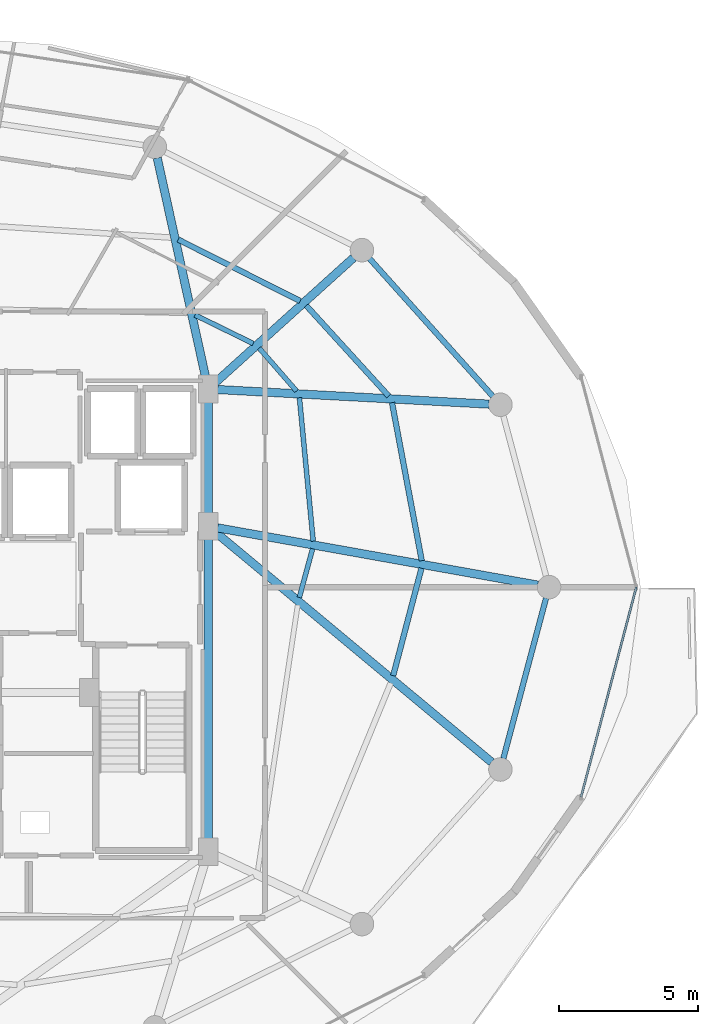
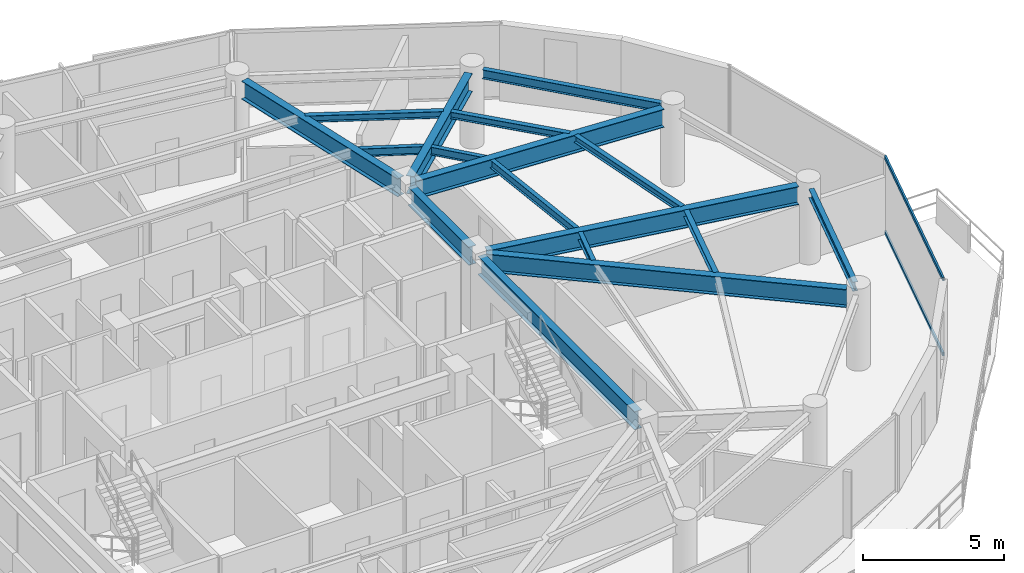
# One storey, part 14 of 29: 17 beams, 2 members, 1 element without a shape of its own.
"""IFC4 building model written with IfcOpenShell, lengths in metres."""

import ifcopenshell
import ifcopenshell.guid

model = None  # the IFC model being written
_history = None  # IfcOwnerHistory: only IFC2X3 demands one
_inside = {}  # id of a spatial element -> (the spatial element, [elements in it])
_under = {}  # id of a project, library or spatial element -> (it, [spatial elements below it])
_declared = {}  # id of a project -> (the project, [libraries it declares])
_typed = {}  # id of a type object -> (the type object, [elements of that type])
_made_of = {}  # id of a material, layer set ... -> (it, [elements and type objects made of it])


def new_model(schema):
    """Start an empty IFC model of exactly this schema.

    Asked for "IFC4X3", IfcOpenShell would pick the latest addendum, in which some entities
    have other attributes; the version numbers below select the first issue.
    IFC2X3 requires an IfcOwnerHistory on every rooted entity: one is made here for all.
    """
    global model, _history
    if schema == "IFC4X3":
        model = ifcopenshell.file(schema_version=(4, 3, 0, 0))
    else:
        model = ifcopenshell.file(schema=schema)
    _inside.clear()
    _under.clear()
    _declared.clear()
    _typed.clear()
    _made_of.clear()
    _history = None
    if model.schema == "IFC2X3":
        org = make("IfcOrganization", Name="unknown")
        user = make(
            "IfcPersonAndOrganization",
            ThePerson=make("IfcPerson", FamilyName="unknown"),
            TheOrganization=org,
        )
        app = make(
            "IfcApplication",
            ApplicationDeveloper=org,
            Version="unknown",
            ApplicationFullName="unknown",
            ApplicationIdentifier="unknown",
        )
        _history = make(
            "IfcOwnerHistory",
            OwningUser=user,
            OwningApplication=app,
            ChangeAction="ADDED",
            CreationDate=0,
        )
    return model


def make(cls, **values):
    """One entity of the class cls with the attributes given. An attribute that is None is left unset."""
    return model.create_entity(
        cls, **{name: value for name, value in values.items() if value is not None}
    )


def rooted(cls, **values):
    """An entity with a GlobalId (a new one), such as an element, a storey or a relation."""
    return make(cls, GlobalId=ifcopenshell.guid.new(), OwnerHistory=_history, **values)


def si_unit(unit_type, name, prefix=None):
    """IfcSIUnit, for example si_unit("LENGTHUNIT", "METRE", prefix="MILLI")."""
    return make("IfcSIUnit", UnitType=unit_type, Prefix=prefix, Name=name)


def assignment(units):
    """IfcUnitAssignment: the units of a project."""
    return None if units is None else make("IfcUnitAssignment", Units=units)


def point(xyz):
    """IfcCartesianPoint."""
    return None if xyz is None else make("IfcCartesianPoint", Coordinates=xyz)


def direction(xyz):
    """IfcDirection."""
    return None if xyz is None else make("IfcDirection", DirectionRatios=xyz)


def frame(location, z_axis=None, x_axis=None):
    """IfcAxis2Placement3D, a coordinate frame: its origin and axes. An axis left out is left unset."""
    return make(
        "IfcAxis2Placement3D",
        Location=point(location),
        Axis=direction(z_axis),
        RefDirection=direction(x_axis),
    )


def frame_2d(location, x_axis=None):
    """IfcAxis2Placement2D, a coordinate frame in the plane: its origin and x axis."""
    return make(
        "IfcAxis2Placement2D", Location=point(location), RefDirection=direction(x_axis)
    )


def origin():
    """The frame at (0, 0, 0) with its axes left unset."""
    return frame((0.0, 0.0, 0.0))


def origin_2d():
    """The frame at (0, 0) in the plane with its x axis left unset."""
    return frame_2d((0.0, 0.0))


def place(relative_to, where):
    """IfcLocalPlacement: puts the frame where relative to a parent placement (None: the world)."""
    return make(
        "IfcLocalPlacement", PlacementRelTo=relative_to, RelativePlacement=where
    )


def context(
    kind, dimensions, precision=None, world=None, true_north=None, identifier=None
):
    """IfcGeometricRepresentationContext, for example the 3D "Model" context."""
    return make(
        "IfcGeometricRepresentationContext",
        ContextIdentifier=identifier,
        ContextType=kind,
        CoordinateSpaceDimension=dimensions,
        Precision=precision,
        WorldCoordinateSystem=world,
        TrueNorth=true_north,
    )


def subcontext(parent, identifier, kind, view, scale=None):
    """IfcGeometricRepresentationSubContext, for example "Body" below "Model"."""
    return make(
        "IfcGeometricRepresentationSubContext",
        ContextIdentifier=identifier,
        ContextType=kind,
        ParentContext=parent,
        TargetScale=scale,
        TargetView=view,
    )


def project(units=None, contexts=None):
    """IfcProject with its units and contexts."""
    return rooted(
        "IfcProject",
        Name="project",
        RepresentationContexts=contexts,
        UnitsInContext=assignment(units),
    )


def spatial(cls, under=None, at=None, **own):
    """A site, building, storey or space (cls), placed at a placement, below another one or the project."""
    s = rooted(cls, ObjectPlacement=at, **own)
    if under is not None:
        _under.setdefault(under.id(), (under, []))[1].append(s)
    return s


def profile(cls, at=None, kind="AREA", **sizes):
    """A parametric profile (cls). Its sizes go by their IFC names, for example OverallWidth=200.0."""
    return make(cls, ProfileType=kind, Position=at, **sizes)


def hollow_rectangle(**sizes):
    """IfcRectangleHollowProfileDef."""
    return profile("IfcRectangleHollowProfileDef", **sizes)


def i_section(**sizes):
    """IfcIShapeProfileDef."""
    return profile("IfcIShapeProfileDef", **sizes)


def extrude(swept, where, along, depth):
    """IfcExtrudedAreaSolid: the profile swept, set in the frame where, extruded along a direction by depth."""
    return make(
        "IfcExtrudedAreaSolid",
        SweptArea=swept,
        Position=where,
        ExtrudedDirection=direction(along),
        Depth=depth,
    )


def shape(context_of_items, identifier, shape_type, items):
    """IfcShapeRepresentation: the items that make up one representation, for example the "Body"."""
    return make(
        "IfcShapeRepresentation",
        ContextOfItems=context_of_items,
        RepresentationIdentifier=identifier,
        RepresentationType=shape_type,
        Items=items,
    )


def material(Name=None, Category=None):
    """IfcMaterial."""
    return make("IfcMaterial", Name=Name, Category=Category)


def material_profile(
    of_material, cross_section, Name=None, Category=None, Priority=None
):
    """IfcMaterialProfile: a cross section and its material."""
    return make(
        "IfcMaterialProfile",
        Name=Name,
        Material=of_material,
        Profile=cross_section,
        Priority=Priority,
        Category=Category,
    )


def profile_set(profiles, Name=None, composite=None):
    """IfcMaterialProfileSet."""
    return make(
        "IfcMaterialProfileSet",
        Name=Name,
        MaterialProfiles=profiles,
        CompositeProfile=composite,
    )


def made_of(thing, what):
    """Note that an element or type object is made of a material, layer set ...; save() writes the relation."""
    if what is not None:
        _made_of.setdefault(what.id(), (what, []))[1].append(thing)
    return thing


def type_object(cls, material=None, **own):
    """A type object (cls), such as IfcWallType, which elements share."""
    return made_of(rooted(cls, **own), material)


def element(
    cls,
    number,
    at=None,
    inside=None,
    cuts=None,
    type_object=None,
    material=None,
    context=None,
    identifier="Body",
    shape_type=None,
    held_by="IfcProductDefinitionShape",
    body=None,
    shapes=None,
    **own,
):
    """One element of the class cls, such as IfcWall. Its Tag is "e" and its number.

    at: its placement. inside: the storey or other place that contains it. cuts: it is an
    opening in that element (IfcRelVoidsElement). A single representation is given by context,
    identifier, shape_type and body (its items); several are given by shapes. held_by: the class
    of the entity that holds the representations. save() writes the other relations.
    """
    e = rooted(cls, Tag="e%d" % number, ObjectPlacement=at, **own)
    if body is not None:
        shapes = [shape(context, identifier, shape_type, body)]
    if shapes is not None:
        e.Representation = make(held_by, Representations=shapes)
    if inside is not None:
        _inside.setdefault(inside.id(), (inside, []))[1].append(e)
    if cuts is not None:
        rooted(
            "IfcRelVoidsElement", RelatingBuildingElement=cuts, RelatedOpeningElement=e
        )
    if type_object is not None:
        _typed.setdefault(type_object.id(), (type_object, []))[1].append(e)
    return made_of(e, material)


def aggregate(whole, parts):
    """IfcRelAggregates: a whole, such as a stair, and the parts it consists of."""
    return rooted("IfcRelAggregates", RelatingObject=whole, RelatedObjects=parts)


def save(model, path):
    """Write the relations noted so far, then the file.

    IfcRelAggregates (storeys below a building ...), IfcRelContainedInSpatialStructure (elements
    in a storey), IfcRelDefinesByType, IfcRelAssociatesMaterial and IfcRelDeclares: one each for
    every whole, place, type object, material and project.
    """
    for whole, parts in _under.values():
        aggregate(whole, parts)
    for where, things in _inside.values():
        rooted(
            "IfcRelContainedInSpatialStructure",
            RelatedElements=things,
            RelatingStructure=where,
        )
    for kind, things in _typed.values():
        rooted("IfcRelDefinesByType", RelatedObjects=things, RelatingType=kind)
    for what, things in _made_of.values():
        rooted("IfcRelAssociatesMaterial", RelatedObjects=things, RelatingMaterial=what)
    for by, libraries in _declared.values():
        rooted("IfcRelDeclares", RelatingContext=by, RelatedDefinitions=libraries)
    model.write(path)


model = new_model("IFC4")

# Units and contexts
model_context = context("Model", 3, precision=1e-05, world=origin(), true_north=direction((0.0, 1.0)))
body_context = subcontext(model_context, "Body", "Model", "MODEL_VIEW")
ifc_project = project(units=[si_unit("LENGTHUNIT", "METRE"), si_unit("AREAUNIT", "SQUARE_METRE"), si_unit("VOLUMEUNIT", "CUBIC_METRE"), si_unit("PLANEANGLEUNIT", "RADIAN"), si_unit("MASSUNIT", "GRAM", prefix="KILO")], contexts=[model_context])

# Site, building, storey
site_placement = place(None, origin())
site = spatial("IfcSite", under=ifc_project, at=site_placement, CompositionType="ELEMENT")
building_placement = place(site_placement, origin())
building = spatial("IfcBuilding", under=site, at=building_placement, Name="Vorneva Point Tower", CompositionType="ELEMENT")
storey_placement = place(building_placement, frame((0.0, 0.0, 273.300048828125)))
storey = spatial("IfcBuildingStorey", under=building, at=storey_placement, Name="L74", CompositionType="ELEMENT", Elevation=273.300048828125)

# Beams
ifc_material_1 = material(Name="Steel S355", Category="steel")
ifc_material_profile_1 = material_profile(ifc_material_1, i_section(OverallWidth=0.300048828125, OverallDepth=0.7880859375, WebThickness=0.014404296875, FlangeThickness=0.02197265625, at=origin_2d()), Name="80Sh1")
ifc_profile_set_1 = profile_set([ifc_material_profile_1], Name="Steel S355")
beam_type_1 = type_object("IfcBeamType", Name="BM-GRD-80Sh1", PredefinedType="USERDEFINED", material=ifc_profile_set_1)
beam_1_placement = place(storey_placement, frame((60.6435546875, 26.07275390625, 2.89599609375), z_axis=(-0.9843788355, 0.17606336422, 0.0), x_axis=(-0.17606336422, -0.9843788355, 0.0)))
element("IfcBeam", 1, at=beam_1_placement, inside=storey, type_object=beam_type_1, Name="L74 Radial Primary Girder 01", ObjectType="GIRDER", PredefinedType="USERDEFINED", context=body_context, shape_type="SweptSolid", body=[
    extrude(i_section(OverallWidth=0.300048828125, OverallDepth=0.7880859375, WebThickness=0.014404296875, FlangeThickness=0.02197265625, at=origin_2d()), origin(), (0.0, 0.0, 1.0), 11.7421875),
])
beam_2_placement = place(storey_placement, frame((58.883056640625, 32.6044921875, 2.89599609375), z_axis=(-0.998554756376, 0.05374382308, 0.0), x_axis=(-0.05374382308, -0.998554756376, 0.0)))
element("IfcBeam", 2, at=beam_2_placement, inside=storey, type_object=beam_type_1, Name="L74 Radial Primary Girder 02", ObjectType="GIRDER", PredefinedType="USERDEFINED", context=body_context, shape_type="SweptSolid", body=[
    extrude(i_section(OverallWidth=0.300048828125, OverallDepth=0.7880859375, WebThickness=0.014404296875, FlangeThickness=0.02197265625, at=origin_2d()), origin(), (0.0, 0.0, 1.0), 9.8076171875),
])
beam_3_placement = place(storey_placement, frame((53.9921875, 37.885498046875, 2.89599609375), z_axis=(-0.7420671051, -0.670325601128, 0.0), x_axis=(0.670325601128, -0.7420671051, 0.0)))
element("IfcBeam", 3, at=beam_3_placement, inside=storey, type_object=beam_type_1, Name="L74 Radial Primary Girder 03", ObjectType="GIRDER", PredefinedType="USERDEFINED", context=body_context, shape_type="SweptSolid", body=[
    extrude(i_section(OverallWidth=0.300048828125, OverallDepth=0.7880859375, WebThickness=0.014404296875, FlangeThickness=0.02197265625, at=origin_2d()), origin(), (0.0, 0.0, 1.0), 6.724365234375),
])
beam_4_placement = place(storey_placement, frame((46.909912109375, 41.4873046875, 2.89599609375), z_axis=(0.215520742957, -0.976499262342, 0.0), x_axis=(0.976499262342, 0.215520742957, 0.0)))
element("IfcBeam", 4, at=beam_4_placement, inside=storey, type_object=beam_type_1, Name="L74 Radial Primary Girder 04", ObjectType="GIRDER", PredefinedType="USERDEFINED", context=body_context, shape_type="SweptSolid", body=[
    extrude(i_section(OverallWidth=0.300048828125, OverallDepth=0.7880859375, WebThickness=0.014404296875, FlangeThickness=0.02197265625, at=origin_2d()), origin(), (0.0, 0.0, 1.0), 8.197998046875),
])
beam_5_placement = place(storey_placement, frame((58.97802734375, 19.68212890625, 2.89599609375), z_axis=(-0.768424898021, 0.639939978515, 0.0), x_axis=(-0.639939978515, -0.768424898021, 0.0)))
element("IfcBeam", 5, at=beam_5_placement, inside=storey, type_object=beam_type_1, Name="L74 Radial Primary Girder 16", ObjectType="GIRDER", PredefinedType="USERDEFINED", context=body_context, shape_type="SweptSolid", body=[
    extrude(i_section(OverallWidth=0.300048828125, OverallDepth=0.7880859375, WebThickness=0.014404296875, FlangeThickness=0.02197265625, at=origin_2d()), origin(), (0.0, 0.0, 1.0), 12.970458984375),
])
beam_6_placement = place(storey_placement, frame((48.75, 16.77001953125, 2.89599609375), z_axis=(0.0, 1.0, 0.0), x_axis=(-1.0, 0.0, 0.0)))
element("IfcBeam", 6, at=beam_6_placement, inside=storey, type_object=beam_type_1, Name="L74 Core Tie Girder CT3", ObjectType="GIRDER", PredefinedType="USERDEFINED", context=body_context, shape_type="SweptSolid", body=[
    extrude(i_section(OverallWidth=0.300048828125, OverallDepth=0.7880859375, WebThickness=0.014404296875, FlangeThickness=0.02197265625, at=origin_2d()), origin(), (0.0, 0.0, 1.0), 11.10986328125),
])
beam_7_placement = place(storey_placement, frame((48.75, 28.52001953125, 2.89599609375), z_axis=(0.0, 1.0, 0.0), x_axis=(-1.0, 0.0, 0.0)))
element("IfcBeam", 7, at=beam_7_placement, inside=storey, type_object=beam_type_1, Name="L74 Core Tie Girder CT4", ObjectType="GIRDER", PredefinedType="USERDEFINED", context=body_context, shape_type="SweptSolid", body=[
    extrude(i_section(OverallWidth=0.300048828125, OverallDepth=0.7880859375, WebThickness=0.014404296875, FlangeThickness=0.02197265625, at=origin_2d()), origin(), (0.0, 0.0, 1.0), 4.31005859375),
])
ifc_material_profile_2 = material_profile(ifc_material_1, i_section(OverallWidth=0.199951171875, OverallDepth=0.291015625, WebThickness=0.008056640625, FlangeThickness=0.010986328125, at=origin_2d()), Name="30Sh1")
ifc_profile_set_2 = profile_set([ifc_material_profile_2], Name="Steel S355")
beam_type_2 = type_object("IfcBeamType", Name="BM-SEC-30Sh1", PredefinedType="BEAM", material=ifc_profile_set_2)
beam_8_placement = place(storey_placement, frame((56.456787109375, 26.95263671875, 3.14453125), z_axis=(-0.184968874114, 0.982744379587, 0.0), x_axis=(-0.982744379587, -0.184968874114, 0.0)))
element("IfcBeam", 8, at=beam_8_placement, inside=storey, type_object=beam_type_2, Name="L74 Secondary Floor Beam 1.01", PredefinedType="BEAM", context=body_context, shape_type="SweptSolid", body=[
    extrude(i_section(OverallWidth=0.199951171875, OverallDepth=0.291015625, WebThickness=0.008056640625, FlangeThickness=0.010986328125, at=origin_2d()), origin(), (0.0, 0.0, 1.0), 5.80615234375),
])
beam_9_placement = place(storey_placement, frame((55.264404296875, 32.896240234375, 3.14453125), z_axis=(-0.673657092993, 0.739044058944, 0.0), x_axis=(-0.739044058944, -0.673657092993, 0.0)))
element("IfcBeam", 9, at=beam_9_placement, inside=storey, type_object=beam_type_2, Name="L74 Secondary Floor Beam 1.02", PredefinedType="BEAM", context=body_context, shape_type="SweptSolid", body=[
    extrude(i_section(OverallWidth=0.199951171875, OverallDepth=0.291015625, WebThickness=0.008056640625, FlangeThickness=0.010986328125, at=origin_2d()), origin(), (0.0, 0.0, 1.0), 4.4169921875),
])
beam_10_placement = place(storey_placement, frame((52.07275390625, 36.32470703125, 3.14453125), z_axis=(-0.893046523207, 0.449964340129, 0.0), x_axis=(-0.449964340129, -0.893046523207, 0.0)))
element("IfcBeam", 10, at=beam_10_placement, inside=storey, type_object=beam_type_2, Name="L74 Secondary Floor Beam 1.03", PredefinedType="BEAM", context=body_context, shape_type="SweptSolid", body=[
    extrude(i_section(OverallWidth=0.199951171875, OverallDepth=0.291015625, WebThickness=0.008056640625, FlangeThickness=0.010986328125, at=origin_2d()), origin(), (0.0, 0.0, 1.0), 4.930908203125),
])
beam_11_placement = place(storey_placement, frame((55.425048828125, 22.8037109375, 3.14453125), z_axis=(0.254771835219, 0.967001195438, 0.0), x_axis=(-0.967001195438, 0.254771835219, 0.0)))
element("IfcBeam", 11, at=beam_11_placement, inside=storey, type_object=beam_type_2, Name="L74 Secondary Floor Beam 1.16", PredefinedType="BEAM", context=body_context, shape_type="SweptSolid", body=[
    extrude(i_section(OverallWidth=0.199951171875, OverallDepth=0.291015625, WebThickness=0.008056640625, FlangeThickness=0.010986328125, at=origin_2d()), origin(), (0.0, 0.0, 1.0), 4.01220703125),
])
ifc_material_profile_3 = material_profile(ifc_material_1, i_section(OverallWidth=0.174072265625, OverallDepth=0.345947265625, WebThickness=0.006103515625, FlangeThickness=0.009033203125, at=origin_2d()), Name="35B1")
ifc_profile_set_3 = profile_set([ifc_material_profile_3], Name="Steel S355")
beam_type_3 = type_object("IfcBeamType", Name="BM-SEC-35B1", PredefinedType="BEAM", material=ifc_profile_set_3)
beam_12_placement = place(storey_placement, frame((52.5390625, 27.6572265625, 3.116943359375), z_axis=(-0.095772312645, 0.995403267089, 0.0), x_axis=(-0.995403267089, -0.095772312645, 0.0)))
element("IfcBeam", 12, at=beam_12_placement, inside=storey, type_object=beam_type_3, Name="L74 Secondary Floor Beam 2.01", PredefinedType="BEAM", context=body_context, shape_type="SweptSolid", body=[
    extrude(i_section(OverallWidth=0.174072265625, OverallDepth=0.345947265625, WebThickness=0.006103515625, FlangeThickness=0.009033203125, at=origin_2d()), origin(), (0.0, 0.0, 1.0), 5.202880859375),
])
beam_13_placement = place(storey_placement, frame((51.93701171875, 33.07763671875, 3.116943359375), z_axis=(-0.656396623312, 0.754415981342, 0.0), x_axis=(-0.754415981342, -0.656396623312, 0.0)))
element("IfcBeam", 13, at=beam_13_placement, inside=storey, type_object=beam_type_3, Name="L74 Secondary Floor Beam 2.02", PredefinedType="BEAM", context=body_context, shape_type="SweptSolid", body=[
    extrude(i_section(OverallWidth=0.174072265625, OverallDepth=0.345947265625, WebThickness=0.006103515625, FlangeThickness=0.009033203125, at=origin_2d()), origin(), (0.0, 0.0, 1.0), 2.052490234375),
])
beam_14_placement = place(storey_placement, frame((50.37548828125, 34.791015625, 3.116943359375), z_axis=(-0.897898931546, 0.440201668249, 0.0), x_axis=(-0.440201668249, -0.897898931546, 0.0)))
element("IfcBeam", 14, at=beam_14_placement, inside=storey, type_object=beam_type_3, Name="L74 Secondary Floor Beam 2.03", PredefinedType="BEAM", context=body_context, shape_type="SweptSolid", body=[
    extrude(i_section(OverallWidth=0.174072265625, OverallDepth=0.345947265625, WebThickness=0.006103515625, FlangeThickness=0.009033203125, at=origin_2d()), origin(), (0.0, 0.0, 1.0), 2.34423828125),
])
beam_15_placement = place(storey_placement, frame((52.03759765625, 25.62548828125, 3.116943359375), z_axis=(0.262189126288, 0.965016508696, 0.0), x_axis=(-0.965016508696, 0.262189126288, 0.0)))
element("IfcBeam", 15, at=beam_15_placement, inside=storey, type_object=beam_type_3, Name="L74 Secondary Floor Beam 2.16", PredefinedType="BEAM", context=body_context, shape_type="SweptSolid", body=[
    extrude(i_section(OverallWidth=0.174072265625, OverallDepth=0.345947265625, WebThickness=0.006103515625, FlangeThickness=0.009033203125, at=origin_2d()), origin(), (0.0, 0.0, 1.0), 1.8251953125),
])
ifc_material_profile_4 = material_profile(ifc_material_1, i_section(OverallWidth=0.198974609375, OverallDepth=0.39599609375, WebThickness=0.007080078125, FlangeThickness=0.010986328125, at=origin_2d()), Name="40B1")
ifc_profile_set_4 = profile_set([ifc_material_profile_4], Name="Steel S355")
beam_type_4 = type_object("IfcBeamType", Name="BM-SPN-40B1", PredefinedType="SPANDREL", material=ifc_profile_set_4)
beam_16_placement = place(storey_placement, frame((59.02197265625, 32.8876953125, 3.092041015625), z_axis=(-0.667108282638, 0.744960763554, 0.0), x_axis=(-0.744960763554, -0.667108282638, 0.0)))
element("IfcBeam", 16, at=beam_16_placement, inside=storey, type_object=beam_type_4, Name="L74 Perimeter Spandrel Ring Beam 02", PredefinedType="SPANDREL", context=body_context, shape_type="SweptSolid", body=[
    extrude(i_section(OverallWidth=0.198974609375, OverallDepth=0.39599609375, WebThickness=0.007080078125, FlangeThickness=0.010986328125, at=origin_2d()), origin(), (0.0, 0.0, 1.0), 6.670166015625),
])
beam_17_placement = place(storey_placement, frame((59.40087890625, 19.81396484375, 3.092041015625), z_axis=(0.257586570866, 0.966255224312, 0.0), x_axis=(-0.966255224312, 0.257586570866, 0.0)))
element("IfcBeam", 17, at=beam_17_placement, inside=storey, type_object=beam_type_4, Name="L74 Perimeter Spandrel Ring Beam 16", PredefinedType="SPANDREL", context=body_context, shape_type="SweptSolid", body=[
    extrude(i_section(OverallWidth=0.198974609375, OverallDepth=0.39599609375, WebThickness=0.007080078125, FlangeThickness=0.010986328125, at=origin_2d()), origin(), (0.0, 0.0, 1.0), 5.991943359375),
])

# Curtain wall, members
ifc_material_2 = material(Name="Pale anodised aluminium", Category="aluminium")
curtain_wall_type = type_object("IfcCurtainWallType", Name="CW-RES-SYS", PredefinedType="NOTDEFINED", material=ifc_material_2)
curtain_wall_placement = place(storey_placement, origin())
curtain_wall = element("IfcCurtainWall", 18, at=curtain_wall_placement, inside=storey, type_object=curtain_wall_type, Name="L74 Unitised Curtain Wall CW-L74-R01", PredefinedType="NOTDEFINED")
ifc_material_profile_5 = material_profile(ifc_material_2, hollow_rectangle(XDim=0.074951171875, YDim=0.14990234375, WallThickness=0.00390625, at=origin_2d()), Name="AL-TRN 150x75x4")
ifc_profile_set_5 = profile_set([ifc_material_profile_5], Name="Pale anodised aluminium")
member_type = type_object("IfcMemberType", Name="CW-TRN-150", PredefinedType="USERDEFINED", material=ifc_profile_set_5)
member_1_placement = place(storey_placement, frame((62.20556640625, 18.4189453125, 0.02001953125), z_axis=(0.254418180926, 0.967094302131, 0.0), x_axis=(-0.967094302131, 0.254418180926, 0.0)))
member_1 = element("IfcMember", 19, at=member_1_placement, type_object=member_type, Name="CW-L74-R01 Transom 01.1", ObjectType="TRANSOM", PredefinedType="USERDEFINED", context=body_context, shape_type="SweptSolid", body=[
    extrude(hollow_rectangle(XDim=0.074951171875, YDim=0.14990234375, WallThickness=0.00390625, at=origin_2d()), origin(), (0.0, 0.0, 1.0), 7.839111328125),
])
member_2_placement = place(storey_placement, frame((62.20556640625, 18.4189453125, 3.27001953125), z_axis=(0.254418180926, 0.967094302131, 0.0), x_axis=(-0.967094302131, 0.254418180926, 0.0)))
member_2 = element("IfcMember", 20, at=member_2_placement, type_object=member_type, Name="CW-L74-R01 Transom 01.2", ObjectType="TRANSOM", PredefinedType="USERDEFINED", context=body_context, shape_type="SweptSolid", body=[
    extrude(hollow_rectangle(XDim=0.074951171875, YDim=0.14990234375, WallThickness=0.00390625, at=origin_2d()), origin(), (0.0, 0.0, 1.0), 7.839111328125),
])
aggregate(curtain_wall, [member_1, member_2])

save(model, "model.ifc")
